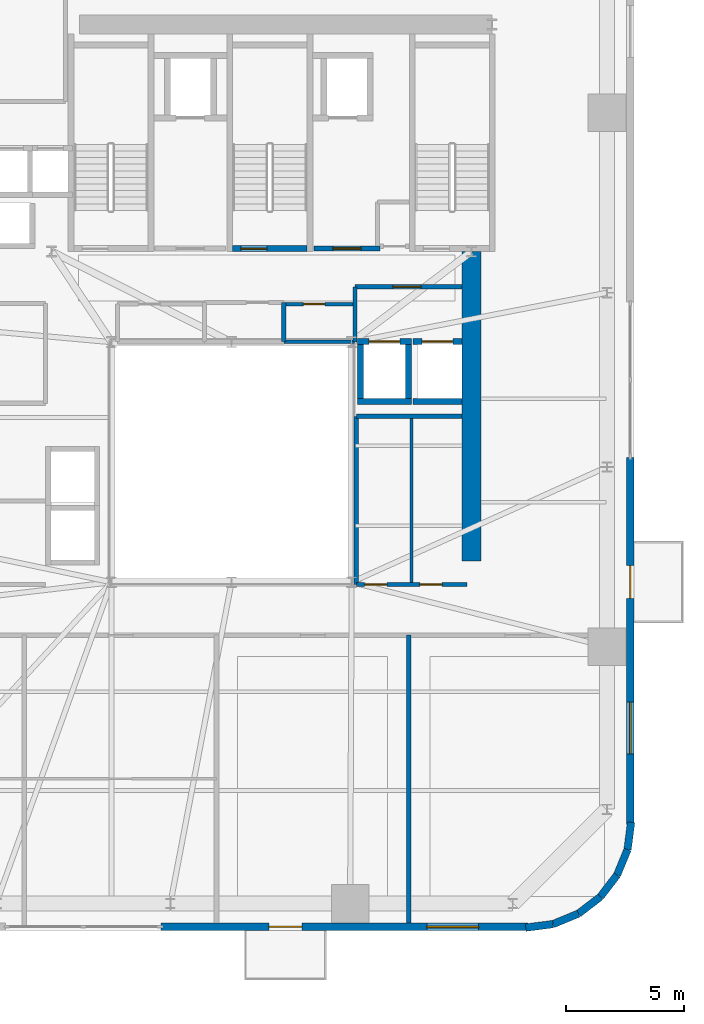
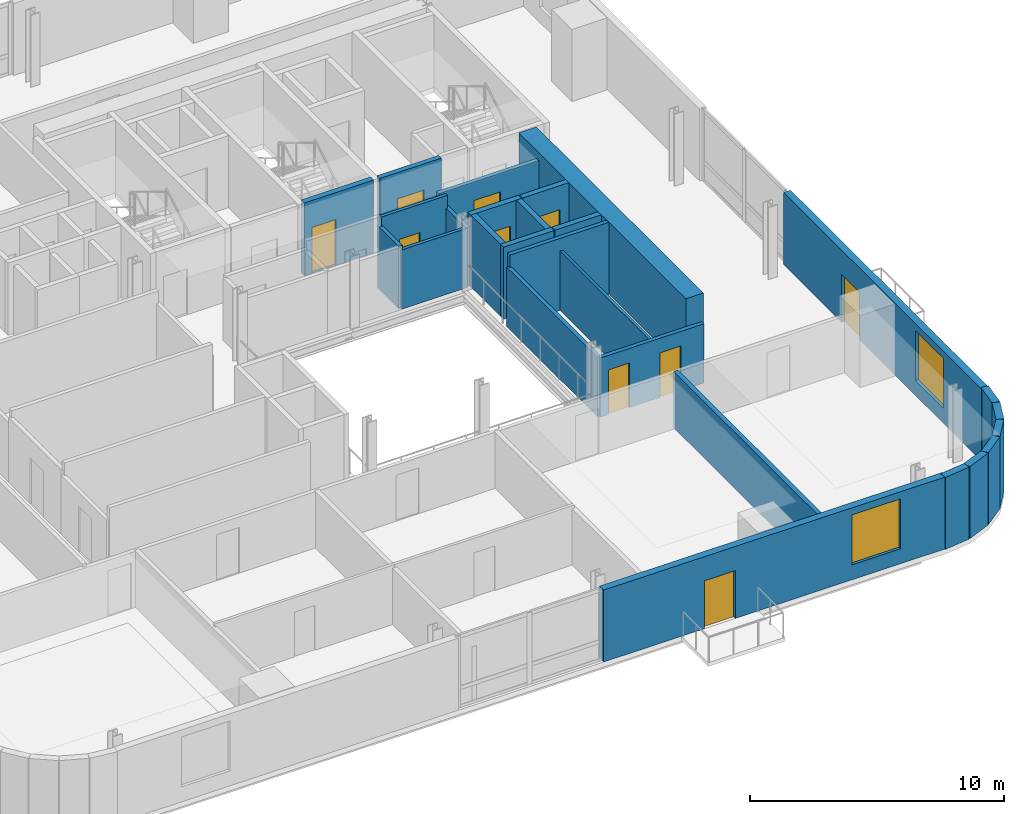
# One storey, part 7 of 13: 27 walls, 10 doors, 2 windows, 12 openings.
"""IFC4 building model written with IfcOpenShell, lengths in metres."""

from ifc_helpers import new_model, si_unit, direction, frame, frame_2d, origin, place, context, subcontext, project, spatial, rectangle, extrude, source, transform, mapped, material, layer, layer_set, type_object, element, fill, save


model = new_model("IFC4")

# Units and contexts
model_context = context("Model", 3, precision=1e-05, world=origin(), true_north=direction((0.0, 1.0)))
body_context = subcontext(model_context, "Body", "Model", "MODEL_VIEW")
ifc_project = project(units=[si_unit("LENGTHUNIT", "METRE"), si_unit("AREAUNIT", "SQUARE_METRE"), si_unit("VOLUMEUNIT", "CUBIC_METRE"), si_unit("PLANEANGLEUNIT", "RADIAN"), si_unit("MASSUNIT", "GRAM", prefix="KILO")], contexts=[model_context])

# Site, building, storey
site_placement = place(None, origin())
site = spatial("IfcSite", under=ifc_project, at=site_placement, CompositionType="ELEMENT")
building_placement = place(site_placement, origin())
building = spatial("IfcBuilding", under=site, at=building_placement, Name="Vardaveli Station Tower", CompositionType="ELEMENT")
storey_placement = place(building_placement, frame((0.0, 0.0, 159.39990234375)))
storey = spatial("IfcBuildingStorey", under=building, at=storey_placement, Name="L41", CompositionType="ELEMENT", Elevation=159.39990234375)

# Wall
ifc_material_1 = material(Name="Concrete C50/60", Category="concrete")
ifc_layer_1 = layer(ifc_material_1, 0.800048828125, Name="Concrete C50/60")
ifc_layer_set_1 = layer_set([ifc_layer_1], Name="Concrete C50/60")
wall_type_1 = type_object("IfcWallType", Name="WAL-CORE-800", PredefinedType="SHEAR", material=ifc_layer_set_1)
shared_shape_1 = source(origin(), body_context, "Body", "SweptSolid", [
    extrude(rectangle(XDim=13.14990234375, YDim=0.800048828125, at=frame_2d((6.574951171875, 0.0))), origin(), (0.0, 0.0, 1.0), 3.460205078125),
])
wall_1_placement = place(storey_placement, frame((46.5, 17.5, 0.0), z_axis=(0.0, 0.0, 1.0), x_axis=(0.0, 1.0, 0.0)))
element("IfcWall", 1, at=wall_1_placement, inside=storey, type_object=wall_type_1, Name="SW-L41-EAST2", PredefinedType="SHEAR", context=body_context, shape_type="MappedRepresentation", body=[
    mapped(shared_shape_1, transform((0.0, 0.0, 0.0), scale=1.0)),
])

# Wall, openings, door, window
ifc_material_2 = material(Name="Precast concrete C45/55", Category="concrete")
ifc_layer_2 = layer(ifc_material_2, 0.320068359375, Name="Precast concrete C45/55")
ifc_layer_set_2 = layer_set([ifc_layer_2], Name="Precast concrete C45/55")
wall_type_2 = type_object("IfcWallType", Name="WAL-EXT-STONE-320", PredefinedType="SOLIDWALL", material=ifc_layer_set_2)
shared_shape_2 = source(origin(), body_context, "Body", "SweptSolid", [
    extrude(rectangle(XDim=15.599853515625, YDim=0.320068359375, at=frame_2d((7.7998046875, 0.0))), origin(), (0.0, 0.0, 1.0), 3.460205078125),
])
wall_2_placement = place(storey_placement, frame((33.300048828125, 1.9599609375, 0.0), z_axis=(0.0, 0.0, 1.0), x_axis=(1.0, 0.0, 0.0)))
wall_2 = element("IfcWall", 2, at=wall_2_placement, inside=storey, type_object=wall_type_2, Name="EW-L41-S2", PredefinedType="SOLIDWALL", context=body_context, shape_type="MappedRepresentation", body=[
    mapped(shared_shape_2, transform((0.0, 0.0, 0.0), scale=1.0)),
])
shared_shape_3 = source(origin(), body_context, "Body", "SweptSolid", [
    extrude(rectangle(XDim=1.39990234375, YDim=2.300048828125, at=frame_2d((0.699951171875, 1.14990234375))), frame((0.0, 0.169921875, 0.0), z_axis=(0.0, -1.0, 0.0), x_axis=(1.0, 0.0, 0.0)), (0.0, 0.0, 1.0), 0.340087890625),
])
opening_1_placement = place(wall_2_placement, frame((4.589599609375, 0.0, 0.0)))
opening_1 = element("IfcOpeningElement", 3, at=opening_1_placement, cuts=wall_2, Name="Opening D-09", PredefinedType="OPENING", context=body_context, shape_type="MappedRepresentation", body=[
    mapped(shared_shape_3, transform((0.0, 0.0, 0.0), scale=1.0)),
])
shared_shape_4 = source(origin(), body_context, "Body", "SweptSolid", [
    extrude(rectangle(XDim=2.199951171875, YDim=2.39990234375, at=frame_2d((1.10009765625, 1.199951171875))), frame((0.0, 0.169921875, 0.0), z_axis=(0.0, -1.0, 0.0), x_axis=(1.0, 0.0, 0.0)), (0.0, 0.0, 1.0), 0.340087890625),
])
opening_2_placement = place(wall_2_placement, frame((11.294921875, 0.0, 0.719970703125)))
opening_2 = element("IfcOpeningElement", 4, at=opening_2_placement, cuts=wall_2, Name="Opening W-03", PredefinedType="OPENING", context=body_context, shape_type="MappedRepresentation", body=[
    mapped(shared_shape_4, transform((0.0, 0.0, 0.0), scale=1.0)),
])
ifc_material_3 = material(Name="Thermally broken aluminium glass", Category="aluminium")
door_type_1 = type_object("IfcDoorType", Name="DR-LOG-1400x2300", OperationType="DOUBLE_DOOR_SLIDING", PredefinedType="DOOR", material=ifc_material_3)
shared_shape_5 = source(origin(), body_context, "Body", "SweptSolid", [
    extrude(rectangle(XDim=1.39990234375, YDim=2.300048828125, at=frame_2d((0.699951171875, 1.14990234375))), frame((0.0, 0.02490234375, 0.0), z_axis=(0.0, -1.0, 0.0), x_axis=(1.0, 0.0, 0.0)), (0.0, 0.0, 1.0), 0.050048828125),
])
door_1_placement = place(opening_1_placement, frame((1.39990234375, 0.0, 0.0), z_axis=(0.0, 0.0, 1.0), x_axis=(-1.0, 0.0, 0.0)))
door_1 = element("IfcDoor", 5, at=door_1_placement, inside=storey, type_object=door_type_1, Name="DLG-L41-S", OperationType="DOUBLE_DOOR_SLIDING", OverallHeight=2.300048828125, OverallWidth=1.39990234375, PredefinedType="DOOR", context=body_context, shape_type="MappedRepresentation", body=[
    mapped(shared_shape_5, transform((0.0, 0.0, 0.0), scale=1.0)),
])
fill(opening_1, door_1)
ifc_material_4 = material(Name="Low-E solar-control glass", Category="glass")
window_type = type_object("IfcWindowType", Name="WIN-LOG-2200x2400", PartitioningType="SINGLE_PANEL", PredefinedType="WINDOW", material=ifc_material_4)
shared_shape_6 = source(origin(), body_context, "Body", "SweptSolid", [
    extrude(rectangle(XDim=2.199951171875, YDim=2.39990234375, at=frame_2d((1.10009765625, 1.199951171875))), frame((0.0, 0.030029296875, 0.0), z_axis=(0.0, -1.0, 0.0), x_axis=(1.0, 0.0, 0.0)), (0.0, 0.0, 1.0), 0.06005859375),
])
window_1_placement = place(opening_2_placement, origin())
window_1 = element("IfcWindow", 6, at=window_1_placement, inside=storey, type_object=window_type, Name="WN-L41-S2", OverallHeight=2.39990234375, OverallWidth=2.199951171875, PartitioningType="SINGLE_PANEL", PredefinedType="WINDOW", context=body_context, shape_type="MappedRepresentation", body=[
    mapped(shared_shape_6, transform((0.0, 0.0, 0.0), scale=1.0)),
])
fill(opening_2, window_1)

wall_3_placement = place(storey_placement, frame((53.239990234375, 6.300048828125, 0.0), z_axis=(0.0, 0.0, 1.0), x_axis=(0.0, 1.0, 0.0)))
wall_3 = element("IfcWall", 7, at=wall_3_placement, inside=storey, type_object=wall_type_2, Name="EW-L41-E1", PredefinedType="SOLIDWALL", context=body_context, shape_type="MappedRepresentation", body=[
    mapped(shared_shape_2, transform((0.0, 0.0, 0.0), scale=1.0)),
])
opening_3_placement = place(wall_3_placement, frame((9.6103515625, 0.0, 0.0)))
opening_3 = element("IfcOpeningElement", 8, at=opening_3_placement, cuts=wall_3, Name="Opening D-09", PredefinedType="OPENING", context=body_context, shape_type="MappedRepresentation", body=[
    mapped(shared_shape_3, transform((0.0, 0.0, 0.0), scale=1.0)),
])
opening_4_placement = place(wall_3_placement, frame((3.0048828125, 0.0, 0.719970703125)))
opening_4 = element("IfcOpeningElement", 9, at=opening_4_placement, cuts=wall_3, Name="Opening W-03", PredefinedType="OPENING", context=body_context, shape_type="MappedRepresentation", body=[
    mapped(shared_shape_4, transform((0.0, 0.0, 0.0), scale=1.0)),
])
door_2_placement = place(opening_3_placement, frame((1.39990234375, 0.0, 0.0), z_axis=(0.0, 0.0, 1.0), x_axis=(-1.0, 0.0, 0.0)))
door_2 = element("IfcDoor", 10, at=door_2_placement, inside=storey, type_object=door_type_1, Name="DLG-L41-E", OperationType="DOUBLE_DOOR_SLIDING", OverallHeight=2.300048828125, OverallWidth=1.39990234375, PredefinedType="DOOR", context=body_context, shape_type="MappedRepresentation", body=[
    mapped(shared_shape_5, transform((0.0, 0.0, 0.0), scale=1.0)),
])
fill(opening_3, door_2)
window_2_placement = place(opening_4_placement, origin())
window_2 = element("IfcWindow", 11, at=window_2_placement, inside=storey, type_object=window_type, Name="WN-L41-E1", OverallHeight=2.39990234375, OverallWidth=2.199951171875, PartitioningType="SINGLE_PANEL", PredefinedType="WINDOW", context=body_context, shape_type="MappedRepresentation", body=[
    mapped(shared_shape_6, transform((0.0, 0.0, 0.0), scale=1.0)),
])
fill(opening_4, window_2)

# Walls
shared_shape_7 = source(origin(), body_context, "Body", "SweptSolid", [
    extrude(rectangle(XDim=1.170654296875, YDim=0.320068359375, at=frame_2d((0.58544921875, 0.0))), origin(), (0.0, 0.0, 1.0), 3.460205078125),
])
wall_4_placement = place(storey_placement, frame((53.12548828125, 5.23974609375, 0.0), z_axis=(0.0, 0.0, 1.0), x_axis=(0.128269133229, 0.991739395941, 0.0)))
element("IfcWall", 12, at=wall_4_placement, inside=storey, type_object=wall_type_2, Name="EW-L41-CR2-6", PredefinedType="SOLIDWALL", context=body_context, shape_type="MappedRepresentation", body=[
    mapped(shared_shape_7, transform((0.0, 0.0, 0.0), scale=1.0)),
])
shared_shape_8 = source(origin(), body_context, "Body", "SweptSolid", [
    extrude(rectangle(XDim=1.1689453125, YDim=0.320068359375, at=frame_2d((0.58447265625, 0.0))), origin(), (0.0, 0.0, 1.0), 3.460205078125),
])
for number, where, z_axis, x_axis, name in (
    (13, (51.96875, 3.231201171875, 0.0), (0.0, 0.0, 1.0), (0.608387696831, 0.793639975269, 0.0), "EW-L41-CR2-4"),
    (14, (52.679931640625, 4.158935546875, 0.0), (0.0, 0.0, 1.0), (0.381127904695, 0.924522320046, 0.0), "EW-L41-CR2-5"),
):
    element("IfcWall", number, at=place(storey_placement, frame(where, z_axis=z_axis, x_axis=x_axis)), inside=storey, type_object=wall_type_2, Name=name, PredefinedType="SOLIDWALL", context=body_context, shape_type="MappedRepresentation", body=[
        mapped(shared_shape_8, transform((0.0, 0.0, 0.0), scale=1.0)),
    ])
shared_shape_9 = source(origin(), body_context, "Body", "SweptSolid", [
    extrude(rectangle(XDim=1.168701171875, YDim=0.320068359375, at=frame_2d((0.58447265625, 0.0))), origin(), (0.0, 0.0, 1.0), 3.460205078125),
])
wall_5_placement = place(storey_placement, frame((51.041259765625, 2.520263671875, 0.0), z_axis=(0.0, 0.0, 1.0), x_axis=(0.793663520347, 0.608356981114, 0.0)))
element("IfcWall", 15, at=wall_5_placement, inside=storey, type_object=wall_type_2, Name="EW-L41-CR2-3", PredefinedType="SOLIDWALL", context=body_context, shape_type="MappedRepresentation", body=[
    mapped(shared_shape_9, transform((0.0, 0.0, 0.0), scale=1.0)),
])
shared_shape_10 = source(origin(), body_context, "Body", "SweptSolid", [
    extrude(rectangle(XDim=1.16943359375, YDim=0.320068359375, at=frame_2d((0.584716796875, 0.0))), origin(), (0.0, 0.0, 1.0), 3.460205078125),
])
wall_6_placement = place(storey_placement, frame((49.960205078125, 2.074462890625, 0.0), z_axis=(0.0, 0.0, 1.0), x_axis=(0.924479075121, 0.381232789334, 0.0)))
element("IfcWall", 16, at=wall_6_placement, inside=storey, type_object=wall_type_2, Name="EW-L41-CR2-2", PredefinedType="SOLIDWALL", context=body_context, shape_type="MappedRepresentation", body=[
    mapped(shared_shape_10, transform((0.0, 0.0, 0.0), scale=1.0)),
])
shared_shape_11 = source(origin(), body_context, "Body", "SweptSolid", [
    extrude(rectangle(XDim=1.170166015625, YDim=0.320068359375, at=frame_2d((0.5849609375, 0.0))), origin(), (0.0, 0.0, 1.0), 3.460205078125),
])
wall_7_placement = place(storey_placement, frame((48.799560546875, 1.924560546875, 0.0), z_axis=(0.0, 0.0, 1.0), x_axis=(0.991762485493, 0.128090485085, 0.0)))
element("IfcWall", 17, at=wall_7_placement, inside=storey, type_object=wall_type_2, Name="EW-L41-CR2-1", PredefinedType="SOLIDWALL", context=body_context, shape_type="MappedRepresentation", body=[
    mapped(shared_shape_11, transform((0.0, 0.0, 0.0), scale=1.0)),
])

# Wall, opening, door
ifc_material_5 = material(Name="Concrete C40/50", Category="concrete")
ifc_layer_3 = layer(ifc_material_5, 0.25, Name="Concrete C40/50")
ifc_layer_set_3 = layer_set([ifc_layer_3], Name="Concrete C40/50")
wall_type_3 = type_object("IfcWallType", Name="WAL-SHAFT-250", PredefinedType="SOLIDWALL", material=ifc_layer_set_3)
shared_shape_12 = source(origin(), body_context, "Body", "SweptSolid", [
    extrude(rectangle(XDim=3.14990234375, YDim=0.25, at=frame_2d((1.574951171875, 0.0))), origin(), (0.0, 0.0, 1.0), 3.5),
])
wall_8_placement = place(storey_placement, frame((36.35009765625, 30.77490234375, 0.0), z_axis=(0.0, 0.0, 1.0), x_axis=(1.0, 0.0, 0.0)))
wall_8 = element("IfcWall", 18, at=wall_8_placement, inside=storey, type_object=wall_type_3, Name="W-L41-ST-2S", PredefinedType="SOLIDWALL", context=body_context, shape_type="MappedRepresentation", body=[
    mapped(shared_shape_12, transform((0.0, 0.0, 0.0), scale=1.0)),
])
shared_shape_13 = source(origin(), body_context, "Body", "SweptSolid", [
    extrude(rectangle(XDim=1.10009765625, YDim=2.199951171875, at=frame_2d((0.550048828125, 1.10009765625))), frame((0.0, 0.135009765625, 0.0), z_axis=(0.0, -1.0, 0.0), x_axis=(1.0, 0.0, 0.0)), (0.0, 0.0, 1.0), 0.27001953125),
])
opening_5_placement = place(wall_8_placement, frame((0.35009765625, 0.0, 0.0)))
opening_5 = element("IfcOpeningElement", 19, at=opening_5_placement, cuts=wall_8, Name="Opening D-04", PredefinedType="OPENING", context=body_context, shape_type="MappedRepresentation", body=[
    mapped(shared_shape_13, transform((0.0, 0.0, 0.0), scale=1.0)),
])
ifc_material_6 = material(Name="Steel smokeproof fire doorset", Category="steel")
door_type_2 = type_object("IfcDoorType", Name="DR-ST-1100x2200", OperationType="NOTDEFINED", PredefinedType="DOOR", material=ifc_material_6)
shared_shape_14 = source(origin(), body_context, "Body", "SweptSolid", [
    extrude(rectangle(XDim=1.10009765625, YDim=2.199951171875, at=frame_2d((0.550048828125, 1.10009765625))), frame((0.0, 0.02490234375, 0.0), z_axis=(0.0, -1.0, 0.0), x_axis=(1.0, 0.0, 0.0)), (0.0, 0.0, 1.0), 0.050048828125),
])
door_3_placement = place(opening_5_placement, origin())
door_3 = element("IfcDoor", 20, at=door_3_placement, inside=storey, type_object=door_type_2, Name="DST-2-L41", OperationType="SINGLE_SWING_LEFT", OverallHeight=2.199951171875, OverallWidth=1.10009765625, PredefinedType="DOOR", context=body_context, shape_type="MappedRepresentation", body=[
    mapped(shared_shape_14, transform((0.0, 0.0, 0.0), scale=1.0)),
])
fill(opening_5, door_3)

ifc_layer_4 = layer(ifc_material_5, 0.219970703125, Name="Concrete C40/50")
ifc_layer_set_4 = layer_set([ifc_layer_4], Name="Concrete C40/50")
wall_type_4 = type_object("IfcWallType", Name="WAL-FFLOBBY-220", PredefinedType="SOLIDWALL", material=ifc_layer_set_4)
shared_shape_15 = source(origin(), body_context, "Body", "SweptSolid", [
    extrude(rectangle(XDim=2.800048828125, YDim=0.219970703125, at=frame_2d((1.39990234375, 0.0))), origin(), (0.0, 0.0, 1.0), 3.460205078125),
])
wall_9_placement = place(storey_placement, frame((39.800048828125, 30.780029296875, 0.0), z_axis=(0.0, 0.0, 1.0), x_axis=(1.0, 0.0, 0.0)))
wall_9 = element("IfcWall", 21, at=wall_9_placement, inside=storey, type_object=wall_type_4, Name="W-L41-FFL2S", PredefinedType="SOLIDWALL", context=body_context, shape_type="MappedRepresentation", body=[
    mapped(shared_shape_15, transform((0.0, 0.0, 0.0), scale=1.0)),
])
shared_shape_16 = source(origin(), body_context, "Body", "SweptSolid", [
    extrude(rectangle(XDim=1.199951171875, YDim=2.199951171875, at=frame_2d((0.60009765625, 1.10009765625))), frame((0.0, 0.1201171875, 0.0), z_axis=(0.0, -1.0, 0.0), x_axis=(1.0, 0.0, 0.0)), (0.0, 0.0, 1.0), 0.239990234375),
])
opening_6_placement = place(wall_9_placement, frame((0.800048828125, 0.0, 0.0)))
opening_6 = element("IfcOpeningElement", 22, at=opening_6_placement, cuts=wall_9, Name="Opening D-03", PredefinedType="OPENING", context=body_context, shape_type="MappedRepresentation", body=[
    mapped(shared_shape_16, transform((0.0, 0.0, 0.0), scale=1.0)),
])
door_type_3 = type_object("IfcDoorType", Name="DR-FFL-1200x2200", OperationType="NOTDEFINED", PredefinedType="DOOR", material=ifc_material_6)
shared_shape_17 = source(origin(), body_context, "Body", "SweptSolid", [
    extrude(rectangle(XDim=1.199951171875, YDim=2.199951171875, at=frame_2d((0.60009765625, 1.10009765625))), frame((0.0, 0.02490234375, 0.0), z_axis=(0.0, -1.0, 0.0), x_axis=(1.0, 0.0, 0.0)), (0.0, 0.0, 1.0), 0.050048828125),
])
door_4_placement = place(opening_6_placement, origin())
door_4 = element("IfcDoor", 23, at=door_4_placement, inside=storey, type_object=door_type_3, Name="DFFL2-L41", OperationType="SINGLE_SWING_RIGHT", OverallHeight=2.199951171875, OverallWidth=1.199951171875, PredefinedType="DOOR", context=body_context, shape_type="MappedRepresentation", body=[
    mapped(shared_shape_17, transform((0.0, 0.0, 0.0), scale=1.0)),
])
fill(opening_6, door_4)

# Wall
shared_shape_18 = source(origin(), body_context, "Body", "SweptSolid", [
    extrude(rectangle(XDim=2.300048828125, YDim=0.25, at=frame_2d((1.14990234375, 0.0))), origin(), (0.0, 0.0, 1.0), 3.460205078125),
])
wall_10_placement = place(storey_placement, frame((41.64990234375, 24.27490234375, 0.0), z_axis=(0.0, 0.0, 1.0), x_axis=(1.0, 0.0, 0.0)))
element("IfcWall", 24, at=wall_10_placement, inside=storey, type_object=wall_type_3, Name="SHW-SRV-01-L41-S", PredefinedType="SOLIDWALL", context=body_context, shape_type="MappedRepresentation", body=[
    mapped(shared_shape_18, transform((0.0, 0.0, 0.0), scale=1.0)),
])

# Wall, opening, door
wall_11_placement = place(storey_placement, frame((41.64990234375, 26.824951171875, 0.0), z_axis=(0.0, 0.0, 1.0), x_axis=(1.0, 0.0, 0.0)))
wall_11 = element("IfcWall", 25, at=wall_11_placement, inside=storey, type_object=wall_type_3, Name="SHW-SRV-01-L41-N", PredefinedType="SOLIDWALL", context=body_context, shape_type="MappedRepresentation", body=[
    mapped(shared_shape_18, transform((0.0, 0.0, 0.0), scale=1.0)),
])
shared_shape_19 = source(origin(), body_context, "Body", "SweptSolid", [
    extrude(rectangle(XDim=1.300048828125, YDim=2.300048828125, at=frame_2d((0.64990234375, 1.14990234375))), frame((0.0, 0.135009765625, 0.0), z_axis=(0.0, -1.0, 0.0), x_axis=(1.0, 0.0, 0.0)), (0.0, 0.0, 1.0), 0.27001953125),
])
opening_7_placement = place(wall_11_placement, frame((0.5, 0.0, 0.0)))
opening_7 = element("IfcOpeningElement", 26, at=opening_7_placement, cuts=wall_11, Name="Opening LD-03", PredefinedType="OPENING", context=body_context, shape_type="MappedRepresentation", body=[
    mapped(shared_shape_19, transform((0.0, 0.0, 0.0), scale=1.0)),
])
ifc_material_7 = material(Name="Brushed stainless steel", Category="steel")
door_type_4 = type_object("IfcDoorType", Name="DR-LD-1300x2300", OperationType="DOUBLE_DOOR_SLIDING", PredefinedType="DOOR", material=ifc_material_7)
shared_shape_20 = source(origin(), body_context, "Body", "SweptSolid", [
    extrude(rectangle(XDim=1.300048828125, YDim=2.300048828125, at=frame_2d((0.64990234375, 1.14990234375))), frame((0.0, 0.02490234375, 0.0), z_axis=(0.0, -1.0, 0.0), x_axis=(1.0, 0.0, 0.0)), (0.0, 0.0, 1.0), 0.050048828125),
])
door_5_placement = place(opening_7_placement, origin())
door_5 = element("IfcDoor", 27, at=door_5_placement, inside=storey, type_object=door_type_4, Name="LD-SRV-01-L41", OperationType="DOUBLE_DOOR_SLIDING", OverallHeight=2.300048828125, OverallWidth=1.300048828125, PredefinedType="DOOR", context=body_context, shape_type="MappedRepresentation", body=[
    mapped(shared_shape_20, transform((0.0, 0.0, 0.0), scale=1.0)),
])
fill(opening_7, door_5)

# Walls
for number, where, z_axis, x_axis, name in (
    (28, (41.77490234375, 24.39990234375, 0.0), (0.0, 0.0, 1.0), (0.0, 1.0, 0.0), "SHW-SRV-01-L41-W"),
    (29, (43.824951171875, 24.39990234375, 0.0), (0.0, 0.0, 1.0), (0.0, 1.0, 0.0), "SHW-SRV-01-L41-E"),
):
    element("IfcWall", number, at=place(storey_placement, frame(where, z_axis=z_axis, x_axis=x_axis)), inside=storey, type_object=wall_type_3, Name=name, PredefinedType="SOLIDWALL", context=body_context, shape_type="MappedRepresentation", body=[
        mapped(shared_shape_18, transform((0.0, 0.0, 0.0), scale=1.0)),
    ])
shared_shape_21 = source(origin(), body_context, "Body", "SweptSolid", [
    extrude(rectangle(XDim=2.10009765625, YDim=0.25, at=frame_2d((1.050048828125, 0.0))), origin(), (0.0, 0.0, 1.0), 3.460205078125),
])
wall_12_placement = place(storey_placement, frame((44.0, 24.27490234375, 0.0), z_axis=(0.0, 0.0, 1.0), x_axis=(1.0, 0.0, 0.0)))
element("IfcWall", 30, at=wall_12_placement, inside=storey, type_object=wall_type_3, Name="SHW-SRV-02-L41-S", PredefinedType="SOLIDWALL", context=body_context, shape_type="MappedRepresentation", body=[
    mapped(shared_shape_21, transform((0.0, 0.0, 0.0), scale=1.0)),
])

# Wall, opening, door
wall_13_placement = place(storey_placement, frame((44.0, 26.824951171875, 0.0), z_axis=(0.0, 0.0, 1.0), x_axis=(1.0, 0.0, 0.0)))
wall_13 = element("IfcWall", 31, at=wall_13_placement, inside=storey, type_object=wall_type_3, Name="SHW-SRV-02-L41-N", PredefinedType="SOLIDWALL", context=body_context, shape_type="MappedRepresentation", body=[
    mapped(shared_shape_21, transform((0.0, 0.0, 0.0), scale=1.0)),
])
opening_8_placement = place(wall_13_placement, frame((0.39990234375, 0.0, 0.0)))
opening_8 = element("IfcOpeningElement", 32, at=opening_8_placement, cuts=wall_13, Name="Opening LD-03", PredefinedType="OPENING", context=body_context, shape_type="MappedRepresentation", body=[
    mapped(shared_shape_19, transform((0.0, 0.0, 0.0), scale=1.0)),
])
door_6_placement = place(opening_8_placement, origin())
door_6 = element("IfcDoor", 33, at=door_6_placement, inside=storey, type_object=door_type_4, Name="LD-SRV-02-L41", OperationType="DOUBLE_DOOR_SLIDING", OverallHeight=2.300048828125, OverallWidth=1.300048828125, PredefinedType="DOOR", context=body_context, shape_type="MappedRepresentation", body=[
    mapped(shared_shape_20, transform((0.0, 0.0, 0.0), scale=1.0)),
])
fill(opening_8, door_6)

ifc_material_8 = material(Name="Fire-rated gypsum stud partition")
ifc_layer_5 = layer(ifc_material_8, 0.179931640625, Name="Fire-rated gypsum stud partition")
ifc_layer_set_5 = layer_set([ifc_layer_5], Name="Fire-rated gypsum stud partition")
wall_type_5 = type_object("IfcWallType", Name="WAL-CORR-180", PredefinedType="PARTITIONING", material=ifc_layer_set_5)
shared_shape_22 = source(origin(), body_context, "Body", "SweptSolid", [
    extrude(rectangle(XDim=4.5478515625, YDim=0.179931640625, at=frame_2d((2.27392578125, 0.0))), origin(), (0.0, 0.0, 1.0), 3.092041015625),
])
wall_14_placement = place(storey_placement, frame((41.550048828125, 29.14990234375, 0.0), z_axis=(0.0, 0.0, 1.0), x_axis=(1.0, 0.0, 0.0)))
wall_14 = element("IfcWall", 34, at=wall_14_placement, inside=storey, type_object=wall_type_5, Name="W-L41-SVFN", PredefinedType="PARTITIONING", context=body_context, shape_type="MappedRepresentation", body=[
    mapped(shared_shape_22, transform((0.0, 0.0, 0.0), scale=1.0)),
])
shared_shape_23 = source(origin(), body_context, "Body", "SweptSolid", [
    extrude(rectangle(XDim=1.199951171875, YDim=2.199951171875, at=frame_2d((0.60009765625, 1.10009765625))), frame((0.0, 0.10009765625, 0.0), z_axis=(0.0, -1.0, 0.0), x_axis=(1.0, 0.0, 0.0)), (0.0, 0.0, 1.0), 0.199951171875),
])
opening_9_placement = place(wall_14_placement, frame((1.60009765625, 0.0, 0.0)))
opening_9 = element("IfcOpeningElement", 35, at=opening_9_placement, cuts=wall_14, Name="Opening D-03", PredefinedType="OPENING", context=body_context, shape_type="MappedRepresentation", body=[
    mapped(shared_shape_23, transform((0.0, 0.0, 0.0), scale=1.0)),
])
door_7_placement = place(opening_9_placement, origin())
door_7 = element("IfcDoor", 36, at=door_7_placement, inside=storey, type_object=door_type_3, Name="D-L41-SVF", OperationType="SINGLE_SWING_RIGHT", OverallHeight=2.199951171875, OverallWidth=1.199951171875, PredefinedType="DOOR", context=body_context, shape_type="MappedRepresentation", body=[
    mapped(shared_shape_17, transform((0.0, 0.0, 0.0), scale=1.0)),
])
fill(opening_9, door_7)

# Wall, openings, doors
shared_shape_24 = source(origin(), body_context, "Body", "SweptSolid", [
    extrude(rectangle(XDim=4.699951171875, YDim=0.179931640625, at=frame_2d((2.35009765625, 0.0))), origin(), (0.0, 0.0, 1.0), 2.85205078125),
])
wall_15_placement = place(storey_placement, frame((41.60009765625, 16.5, 0.0), z_axis=(0.0, 0.0, 1.0), x_axis=(1.0, 0.0, 0.0)))
wall_15 = element("IfcWall", 37, at=wall_15_placement, inside=storey, type_object=wall_type_5, Name="W-L41-ATE-S", PredefinedType="PARTITIONING", context=body_context, shape_type="MappedRepresentation", body=[
    mapped(shared_shape_24, transform((0.0, 0.0, 0.0), scale=1.0)),
])
shared_shape_25 = source(origin(), body_context, "Body", "SweptSolid", [
    extrude(rectangle(XDim=0.949951171875, YDim=2.14990234375, at=frame_2d((0.47509765625, 1.074951171875))), frame((0.0, 0.10009765625, 0.0), z_axis=(0.0, -1.0, 0.0), x_axis=(1.0, 0.0, 0.0)), (0.0, 0.0, 1.0), 0.199951171875),
])
opening_10_placement = place(wall_15_placement, frame((0.35009765625, 0.0, 0.0)))
opening_10 = element("IfcOpeningElement", 38, at=opening_10_placement, cuts=wall_15, Name="Opening D-11", PredefinedType="OPENING", context=body_context, shape_type="MappedRepresentation", body=[
    mapped(shared_shape_25, transform((0.0, 0.0, 0.0), scale=1.0)),
])
opening_11_placement = place(wall_15_placement, frame((2.699951171875, 0.0, 0.0)))
opening_11 = element("IfcOpeningElement", 39, at=opening_11_placement, cuts=wall_15, Name="Opening D-11", PredefinedType="OPENING", context=body_context, shape_type="MappedRepresentation", body=[
    mapped(shared_shape_25, transform((0.0, 0.0, 0.0), scale=1.0)),
])
ifc_material_9 = material(Name="Oak veneer internal suite door")
door_type_5 = type_object("IfcDoorType", Name="DR-INT-950x2150", OperationType="NOTDEFINED", PredefinedType="DOOR", material=ifc_material_9)
shared_shape_26 = source(origin(), body_context, "Body", "SweptSolid", [
    extrude(rectangle(XDim=0.949951171875, YDim=2.14990234375, at=frame_2d((0.47509765625, 1.074951171875))), frame((0.0, 0.02490234375, 0.0), z_axis=(0.0, -1.0, 0.0), x_axis=(1.0, 0.0, 0.0)), (0.0, 0.0, 1.0), 0.050048828125),
])
door_8_placement = place(opening_10_placement, origin())
door_8 = element("IfcDoor", 40, at=door_8_placement, inside=storey, type_object=door_type_5, Name="D-L41-ATE1", OperationType="SINGLE_SWING_RIGHT", OverallHeight=2.14990234375, OverallWidth=0.949951171875, PredefinedType="DOOR", context=body_context, shape_type="MappedRepresentation", body=[
    mapped(shared_shape_26, transform((0.0, 0.0, 0.0), scale=1.0)),
])
fill(opening_10, door_8)
door_9_placement = place(opening_11_placement, origin())
door_9 = element("IfcDoor", 41, at=door_9_placement, inside=storey, type_object=door_type_5, Name="D-L41-ATE2", OperationType="SINGLE_SWING_RIGHT", OverallHeight=2.14990234375, OverallWidth=0.949951171875, PredefinedType="DOOR", context=body_context, shape_type="MappedRepresentation", body=[
    mapped(shared_shape_26, transform((0.0, 0.0, 0.0), scale=1.0)),
])
fill(opening_11, door_9)

# Walls
shared_shape_27 = source(origin(), body_context, "Body", "SweptSolid", [
    extrude(rectangle(XDim=7.14990234375, YDim=0.179931640625, at=frame_2d((3.574951171875, 0.0))), origin(), (0.0, 0.0, 1.0), 2.85205078125),
])
wall_16_placement = place(storey_placement, frame((41.60009765625, 16.5, 0.0), z_axis=(0.0, 0.0, 1.0), x_axis=(0.0, 1.0, 0.0)))
element("IfcWall", 42, at=wall_16_placement, inside=storey, type_object=wall_type_5, Name="W-L41-ATE-W", PredefinedType="PARTITIONING", context=body_context, shape_type="MappedRepresentation", body=[
    mapped(shared_shape_27, transform((0.0, 0.0, 0.0), scale=1.0)),
])
ifc_material_10 = material(Name="Gypsum board stud partition")
ifc_layer_6 = layer(ifc_material_10, 0.125, Name="Gypsum board stud partition")
ifc_layer_set_6 = layer_set([ifc_layer_6], Name="Gypsum board stud partition")
wall_type_6 = type_object("IfcWallType", Name="WAL-INT-125", PredefinedType="PARTITIONING", material=ifc_layer_set_6)
shared_shape_28 = source(origin(), body_context, "Body", "SweptSolid", [
    extrude(rectangle(XDim=7.14990234375, YDim=0.125, at=frame_2d((3.574951171875, 0.0))), origin(), (0.0, 0.0, 1.0), 2.85205078125),
])
wall_17_placement = place(storey_placement, frame((43.949951171875, 16.5, 0.0), z_axis=(0.0, 0.0, 1.0), x_axis=(0.0, 1.0, 0.0)))
element("IfcWall", 43, at=wall_17_placement, inside=storey, type_object=wall_type_6, Name="W-L41-ATEM", PredefinedType="PARTITIONING", context=body_context, shape_type="MappedRepresentation", body=[
    mapped(shared_shape_28, transform((0.0, 0.0, 0.0), scale=1.0)),
])
shared_shape_29 = source(origin(), body_context, "Body", "SweptSolid", [
    extrude(rectangle(XDim=2.349853515625, YDim=0.179931640625, at=frame_2d((1.1748046875, 0.0))), origin(), (0.0, 0.0, 1.0), 2.85205078125),
])
wall_18_placement = place(storey_placement, frame((41.550048828125, 26.800048828125, 0.0), z_axis=(0.0, 0.0, 1.0), x_axis=(0.0, 1.0, 0.0)))
element("IfcWall", 44, at=wall_18_placement, inside=storey, type_object=wall_type_5, Name="W-L41-SVFW", PredefinedType="PARTITIONING", context=body_context, shape_type="MappedRepresentation", body=[
    mapped(shared_shape_29, transform((0.0, 0.0, 0.0), scale=1.0)),
])
ifc_material_11 = material(Name="Moisture-resistant stud partition")
ifc_layer_7 = layer(ifc_material_11, 0.14990234375, Name="Moisture-resistant stud partition")
ifc_layer_set_7 = layer_set([ifc_layer_7], Name="Moisture-resistant stud partition")
wall_type_7 = type_object("IfcWallType", Name="WAL-WET-150", PredefinedType="PARTITIONING", material=ifc_layer_set_7)
shared_shape_30 = source(origin(), body_context, "Body", "SweptSolid", [
    extrude(rectangle(XDim=3.0, YDim=0.14990234375, at=frame_2d((1.5, 0.0))), origin(), (0.0, 0.0, 1.0), 2.85205078125),
])
wall_19_placement = place(storey_placement, frame((38.52001953125, 26.820068359375, 0.0), z_axis=(0.0, 0.0, 1.0), x_axis=(1.0, 0.0, 0.0)))
element("IfcWall", 45, at=wall_19_placement, inside=storey, type_object=wall_type_7, Name="W-L41-WCA2-S", PredefinedType="PARTITIONING", context=body_context, shape_type="MappedRepresentation", body=[
    mapped(shared_shape_30, transform((0.0, 0.0, 0.0), scale=1.0)),
])
shared_shape_31 = source(origin(), body_context, "Body", "SweptSolid", [
    extrude(rectangle(XDim=4.497802734375, YDim=0.179931640625, at=frame_2d((2.2490234375, 0.0))), origin(), (0.0, 0.0, 1.0), 3.460205078125),
])
wall_20_placement = place(storey_placement, frame((41.60009765625, 23.64990234375, 0.0), z_axis=(0.0, 0.0, 1.0), x_axis=(1.0, 0.0, 0.0)))
element("IfcWall", 46, at=wall_20_placement, inside=storey, type_object=wall_type_5, Name="W-L41-ATE-N", PredefinedType="PARTITIONING", context=body_context, shape_type="MappedRepresentation", body=[
    mapped(shared_shape_31, transform((0.0, 0.0, 0.0), scale=1.0)),
])

# Wall, opening, door
shared_shape_32 = source(origin(), body_context, "Body", "SweptSolid", [
    extrude(rectangle(XDim=3.0, YDim=0.14990234375, at=frame_2d((1.5, 0.0))), origin(), (0.0, 0.0, 1.0), 3.460205078125),
])
wall_21_placement = place(storey_placement, frame((38.52001953125, 28.419921875, 0.0), z_axis=(0.0, 0.0, 1.0), x_axis=(1.0, 0.0, 0.0)))
wall_21 = element("IfcWall", 47, at=wall_21_placement, inside=storey, type_object=wall_type_7, Name="W-L41-WCA2-N", PredefinedType="PARTITIONING", context=body_context, shape_type="MappedRepresentation", body=[
    mapped(shared_shape_32, transform((0.0, 0.0, 0.0), scale=1.0)),
])
shared_shape_33 = source(origin(), body_context, "Body", "SweptSolid", [
    extrude(rectangle(XDim=0.919921875, YDim=2.10009765625, at=frame_2d((0.4599609375, 1.050048828125))), frame((0.0, 0.0849609375, 0.0), z_axis=(0.0, -1.0, 0.0), x_axis=(1.0, 0.0, 0.0)), (0.0, 0.0, 1.0), 0.169921875),
])
opening_12_placement = place(wall_21_placement, frame((0.830078125, 0.0, 0.0)))
opening_12 = element("IfcOpeningElement", 48, at=opening_12_placement, cuts=wall_21, Name="Opening D-07", PredefinedType="OPENING", context=body_context, shape_type="MappedRepresentation", body=[
    mapped(shared_shape_33, transform((0.0, 0.0, 0.0), scale=1.0)),
])
ifc_material_12 = material(Name="Moisture-resistant hardwood door", Category="wood")
door_type_6 = type_object("IfcDoorType", Name="DR-WC-920x2100", OperationType="NOTDEFINED", PredefinedType="DOOR", material=ifc_material_12)
shared_shape_34 = source(origin(), body_context, "Body", "SweptSolid", [
    extrude(rectangle(XDim=0.919921875, YDim=2.10009765625, at=frame_2d((0.4599609375, 1.050048828125))), frame((0.0, 0.02490234375, 0.0), z_axis=(0.0, -1.0, 0.0), x_axis=(1.0, 0.0, 0.0)), (0.0, 0.0, 1.0), 0.050048828125),
])
door_10_placement = place(opening_12_placement, origin())
door_10 = element("IfcDoor", 49, at=door_10_placement, inside=storey, type_object=door_type_6, Name="D-L41-WCA", OperationType="SINGLE_SWING_LEFT", OverallHeight=2.10009765625, OverallWidth=0.919921875, PredefinedType="DOOR", context=body_context, shape_type="MappedRepresentation", body=[
    mapped(shared_shape_34, transform((0.0, 0.0, 0.0), scale=1.0)),
])
fill(opening_12, door_10)

# Walls
ifc_material_13 = material(Name="Acoustic twin-stud gypsum partition")
ifc_layer_8 = layer(ifc_material_13, 0.199951171875, Name="Acoustic twin-stud gypsum partition")
ifc_layer_set_8 = layer_set([ifc_layer_8], Name="Acoustic twin-stud gypsum partition")
wall_type_8 = type_object("IfcWallType", Name="WAL-PARTY-200", PredefinedType="PARTITIONING", material=ifc_layer_set_8)
shared_shape_35 = source(origin(), body_context, "Body", "SweptSolid", [
    extrude(rectangle(XDim=12.22802734375, YDim=0.199951171875, at=frame_2d((6.114013671875, 0.0))), origin(), (0.0, 0.0, 1.0), 2.7021484375),
])
wall_22_placement = place(storey_placement, frame((43.830078125, 2.1220703125, 0.0), z_axis=(0.0, 0.0, 1.0), x_axis=(0.0, 1.0, 0.0)))
element("IfcWall", 50, at=wall_22_placement, inside=storey, type_object=wall_type_8, Name="W-L41-PS4", PredefinedType="PARTITIONING", context=body_context, shape_type="MappedRepresentation", body=[
    mapped(shared_shape_35, transform((0.0, 0.0, 0.0), scale=1.0)),
])
shared_shape_36 = source(origin(), body_context, "Body", "SweptSolid", [
    extrude(rectangle(XDim=1.659912109375, YDim=0.179931640625, at=frame_2d((0.830078125, 0.0))), origin(), (0.0, 0.0, 1.0), 3.002197265625),
])
wall_23_placement = place(storey_placement, frame((38.52001953125, 26.820068359375, 0.0), z_axis=(0.0, 0.0, 1.0), x_axis=(0.0, 1.0, 0.0)))
element("IfcWall", 51, at=wall_23_placement, inside=storey, type_object=wall_type_5, Name="W-L41-HKP2-E", PredefinedType="PARTITIONING", context=body_context, shape_type="MappedRepresentation", body=[
    mapped(shared_shape_36, transform((0.0, 0.0, 0.0), scale=1.0)),
])

save(model, "model.ifc")
